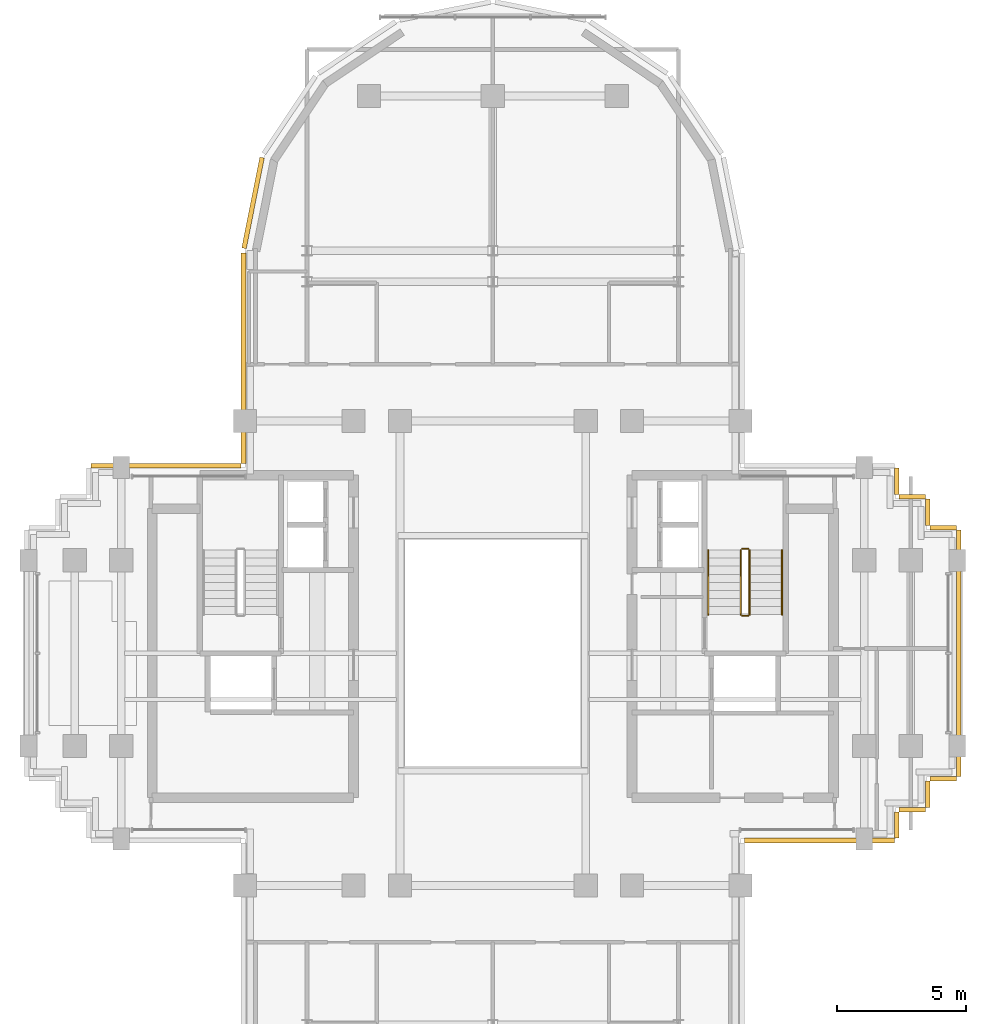
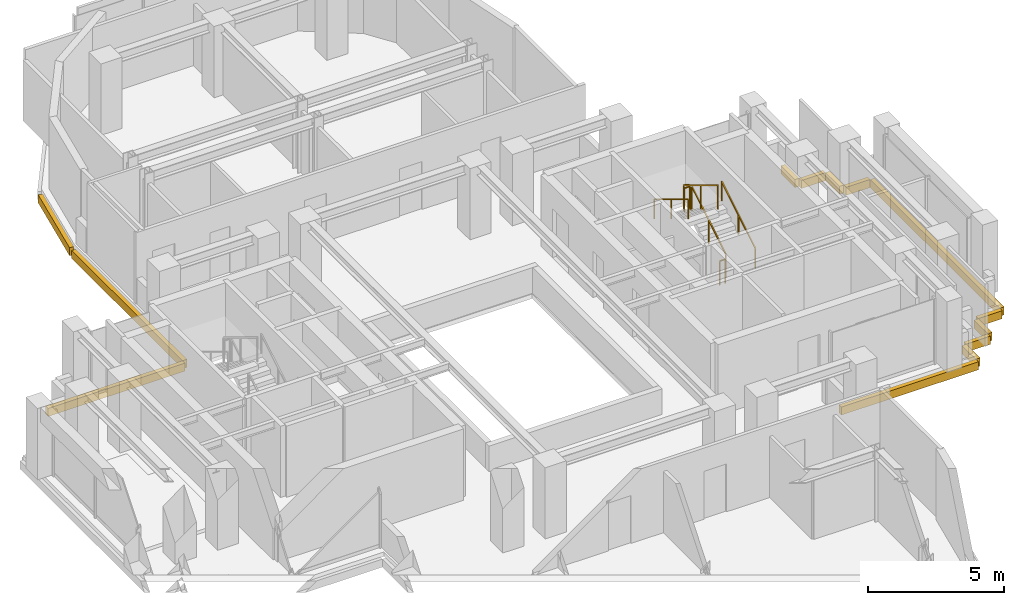
# One storey, part 10 of 11: 13 coverings, 6 railings.
"""IFC4 building model written with IfcOpenShell, lengths in metres."""

from ifc_helpers import new_model, si_unit, direction, frame, origin, origin_2d, place, context, subcontext, project, spatial, rectangle, extrude, source, transform, mapped, material, layer, layer_set, type_object, element, save


model = new_model("IFC4")

# Units and contexts
model_context = context("Model", 3, precision=1e-05, world=origin(), true_north=direction((0.0, 1.0)))
body_context = subcontext(model_context, "Body", "Model", "MODEL_VIEW")
ifc_project = project(units=[si_unit("LENGTHUNIT", "METRE"), si_unit("AREAUNIT", "SQUARE_METRE"), si_unit("VOLUMEUNIT", "CUBIC_METRE"), si_unit("PLANEANGLEUNIT", "RADIAN"), si_unit("MASSUNIT", "GRAM", prefix="KILO")], contexts=[model_context])

# Site, building, storey
site_placement = place(None, origin())
site = spatial("IfcSite", under=ifc_project, at=site_placement, CompositionType="ELEMENT")
building_placement = place(site_placement, origin())
building = spatial("IfcBuilding", under=site, at=building_placement, Name="Keilestroom Media Tower", CompositionType="ELEMENT")
storey_placement = place(building_placement, frame((0.0, 0.0, 194.39990234375)))
storey = spatial("IfcBuildingStorey", under=building, at=storey_placement, Name="L53", CompositionType="ELEMENT", Elevation=194.39990234375)

# Railings
ifc_material_1 = material(Name="Brushed Stainless Steel 1.4301", Category="steel")
railing_type_1 = type_object("IfcRailingType", Name="Stair-Pitch-Handrail-920", PredefinedType="HANDRAIL", material=ifc_material_1)
railing_1_placement = place(storey_placement, frame((11.2099609375, 1.5, 0.18896484375)))
element("IfcRailing", 1, at=railing_1_placement, inside=storey, type_object=railing_type_1, Name="L53 ST-2 stair handrail 1", PredefinedType="HANDRAIL", context=body_context, shape_type="SweptSolid", body=[
    extrude(rectangle(XDim=0.048095703125, YDim=0.048095703125, at=origin_2d()), frame((0.0, 0.0, 0.8759765625), z_axis=(0.0, 0.855433747314, 0.517912255074), x_axis=(-1.0, 0.0, 0.0)), (0.0, 0.0, 1.0), 2.91796875),
    extrude(rectangle(XDim=0.0419921875, YDim=0.0419921875, at=origin_2d()), origin(), (0.0, 0.0, 1.0), 0.84375),
    extrude(rectangle(XDim=0.0419921875, YDim=0.0419921875, at=origin_2d()), frame((0.0, 1.248046875, 0.755615234375)), (0.0, 0.0, 1.0), 0.84375),
    extrude(rectangle(XDim=0.0419921875, YDim=0.0419921875, at=origin_2d()), frame((0.0, 2.49609375, 1.51123046875)), (0.0, 0.0, 1.0), 0.84375),
])
railing_2_placement = place(storey_placement, frame((8.35009765625, 3.99609375, 1.888916015625)))
element("IfcRailing", 2, at=railing_2_placement, inside=storey, type_object=railing_type_1, Name="L53 ST-2 stair handrail 2", PredefinedType="HANDRAIL", context=body_context, shape_type="SweptSolid", body=[
    extrude(rectangle(XDim=0.048095703125, YDim=0.048095703125, at=origin_2d()), frame((0.0, 0.0, 0.8759765625), z_axis=(0.0, -0.855433747314, 0.517912255074), x_axis=(1.0, 0.0, 0.0)), (0.0, 0.0, 1.0), 2.91796875),
    extrude(rectangle(XDim=0.0419921875, YDim=0.0419921875, at=origin_2d()), origin(), (0.0, 0.0, 1.0), 0.84375),
    extrude(rectangle(XDim=0.0419921875, YDim=0.0419921875, at=origin_2d()), frame((0.0, -1.248046875, 0.755615234375)), (0.0, 0.0, 1.0), 0.84375),
    extrude(rectangle(XDim=0.0419921875, YDim=0.0419921875, at=origin_2d()), frame((0.0, -2.49609375, 1.51123046875)), (0.0, 0.0, 1.0), 0.84375),
])
ifc_material_2 = material(Name="Painted Steel Balustrade", Category="steel")
railing_type_2 = type_object("IfcRailingType", Name="Stair-Well-And-Landing-Guard-1100", PredefinedType="GUARDRAIL", material=ifc_material_2)
railing_3_placement = place(storey_placement, frame((9.949951171875, 1.5, 0.18896484375)))
element("IfcRailing", 3, at=railing_3_placement, inside=storey, type_object=railing_type_2, Name="L53 ST-2 stair guard 1", PredefinedType="GUARDRAIL", context=body_context, shape_type="SweptSolid", body=[
    extrude(rectangle(XDim=0.048095703125, YDim=0.048095703125, at=origin_2d()), frame((0.0, 0.0, 1.076171875), z_axis=(0.0, 0.855433747314, 0.517912255074), x_axis=(-1.0, 0.0, 0.0)), (0.0, 0.0, 1.0), 2.91796875),
    extrude(rectangle(XDim=0.0419921875, YDim=0.0419921875, at=origin_2d()), origin(), (0.0, 0.0, 1.0), 1.0439453125),
    extrude(rectangle(XDim=0.0419921875, YDim=0.0419921875, at=origin_2d()), frame((0.0, 1.248046875, 0.755615234375)), (0.0, 0.0, 1.0), 1.0439453125),
    extrude(rectangle(XDim=0.0419921875, YDim=0.0419921875, at=origin_2d()), frame((0.0, 2.49609375, 1.51123046875)), (0.0, 0.0, 1.0), 1.0439453125),
])
railing_4_placement = place(storey_placement, frame((9.89990234375, 4.0458984375, 1.7001953125)))
element("IfcRailing", 4, at=railing_4_placement, inside=storey, type_object=railing_type_2, Name="L53 ST-2 stair guard 2", PredefinedType="GUARDRAIL", context=body_context, shape_type="SweptSolid", body=[
    extrude(rectangle(XDim=0.048095703125, YDim=0.048095703125, at=origin_2d()), frame((0.0, 0.0, 1.076171875), z_axis=(-1.0, 0.0, 0.0), x_axis=(0.0, -1.0, 0.0)), (0.0, 0.0, 1.0), 0.239990234375),
    extrude(rectangle(XDim=0.0419921875, YDim=0.0419921875, at=origin_2d()), origin(), (0.0, 0.0, 1.0), 1.0439453125),
    extrude(rectangle(XDim=0.0419921875, YDim=0.0419921875, at=origin_2d()), frame((-0.239990234375, 0.0, 0.0)), (0.0, 0.0, 1.0), 1.0439453125),
])
railing_5_placement = place(storey_placement, frame((9.610107421875, 3.99609375, 1.888916015625)))
element("IfcRailing", 5, at=railing_5_placement, inside=storey, type_object=railing_type_2, Name="L53 ST-2 stair guard 3", PredefinedType="GUARDRAIL", context=body_context, shape_type="SweptSolid", body=[
    extrude(rectangle(XDim=0.048095703125, YDim=0.048095703125, at=origin_2d()), frame((0.0, 0.0, 1.076171875), z_axis=(0.0, -0.855433747314, 0.517912255074), x_axis=(1.0, 0.0, 0.0)), (0.0, 0.0, 1.0), 2.91796875),
    extrude(rectangle(XDim=0.0419921875, YDim=0.0419921875, at=origin_2d()), origin(), (0.0, 0.0, 1.0), 1.0439453125),
    extrude(rectangle(XDim=0.0419921875, YDim=0.0419921875, at=origin_2d()), frame((0.0, -1.248046875, 0.755615234375)), (0.0, 0.0, 1.0), 1.0439453125),
    extrude(rectangle(XDim=0.0419921875, YDim=0.0419921875, at=origin_2d()), frame((0.0, -2.49609375, 1.51123046875)), (0.0, 0.0, 1.0), 1.0439453125),
])
railing_6_placement = place(storey_placement, frame((9.89990234375, 1.449951171875, 0.0)))
element("IfcRailing", 6, at=railing_6_placement, inside=storey, type_object=railing_type_2, Name="L53 ST-2 stair guard 4", PredefinedType="GUARDRAIL", context=body_context, shape_type="SweptSolid", body=[
    extrude(rectangle(XDim=0.048095703125, YDim=0.048095703125, at=origin_2d()), frame((0.0, 0.0, 1.076171875), z_axis=(-1.0, 0.0, 0.0), x_axis=(0.0, -1.0, 0.0)), (0.0, 0.0, 1.0), 0.239990234375),
    extrude(rectangle(XDim=0.0419921875, YDim=0.0419921875, at=origin_2d()), origin(), (0.0, 0.0, 1.0), 1.0439453125),
    extrude(rectangle(XDim=0.0419921875, YDim=0.0419921875, at=origin_2d()), frame((-0.239990234375, 0.0, 0.0)), (0.0, 0.0, 1.0), 1.0439453125),
])

# Coverings
ifc_material_3 = material(Name="Precast concrete C40/50", Category="concrete")
ifc_layer = layer(ifc_material_3, 0.1201171875)
ifc_layer_set = layer_set([ifc_layer], Name="Precast concrete C40/50")
covering_type = type_object("IfcCoveringType", Name="Exterior-Precast-Spandrel-Cladding-Panel-120", PredefinedType="CLADDING", material=ifc_layer_set)
shared_shape_1 = source(origin(), body_context, "Body", "SweptSolid", [
    extrude(rectangle(XDim=1.02001953125, YDim=0.179931640625, at=origin_2d()), origin(), (0.0, 0.0, 1.0), 0.360107421875),
])
for number, where, z_axis, x_axis, name in (
    (7, (17.4599609375, -4.860107421875, -0.5400390625), (0.0, 0.0, 1.0), (-1.0, 0.0, 0.0), "L53 Precast Slab-Edge Fascia Cornice 01"),
    (8, (16.860107421875, -5.4599609375, -0.5400390625), (0.0, 0.0, 1.0), (0.0, -1.0, 0.0), "L53 Precast Slab-Edge Fascia Cornice 02"),
    (9, (16.260009765625, -6.06005859375, -0.5400390625), (0.0, 0.0, 1.0), (-1.0, 0.0, 0.0), "L53 Precast Slab-Edge Fascia Cornice 03"),
    (10, (15.659912109375, -6.659912109375, -0.5400390625), (0.0, 0.0, 1.0), (0.0, -1.0, 0.0), "L53 Precast Slab-Edge Fascia Cornice 04"),
    (11, (15.659912109375, 6.659912109375, -0.5400390625), (0.0, 0.0, 1.0), (0.0, -1.0, 0.0), "L53 Precast Slab-Edge Fascia Cornice 38"),
    (12, (16.260009765625, 6.06005859375, -0.5400390625), (0.0, 0.0, 1.0), (1.0, 0.0, 0.0), "L53 Precast Slab-Edge Fascia Cornice 39"),
    (13, (16.860107421875, 5.4599609375, -0.5400390625), (0.0, 0.0, 1.0), (0.0, -1.0, 0.0), "L53 Precast Slab-Edge Fascia Cornice 40"),
    (14, (17.4599609375, 4.860107421875, -0.5400390625), (0.0, 0.0, 1.0), (1.0, 0.0, 0.0), "L53 Precast Slab-Edge Fascia Cornice 41"),
):
    element("IfcCovering", number, at=place(storey_placement, frame(where, z_axis=z_axis, x_axis=x_axis)), inside=storey, type_object=covering_type, Name=name, PredefinedType="CLADDING", context=body_context, shape_type="MappedRepresentation", body=[
        mapped(shared_shape_1, transform((0.0, 0.0, 0.0), x_axis=(1.0, 0.0, 0.0), y_axis=(0.0, 1.0, 0.0), z_axis=(0.0, 0.0, 1.0), scale=1.0)),
    ])
shared_shape_2 = source(origin(), body_context, "Body", "SweptSolid", [
    extrude(rectangle(XDim=8.166015625, YDim=0.179931640625, at=origin_2d()), origin(), (0.0, 0.0, 1.0), 0.360107421875),
])
covering_1_placement = place(storey_placement, frame((-9.659912109375, 11.43310546875, -0.5400390625), z_axis=(0.0, 0.0, 1.0), x_axis=(0.0, 1.0, 0.0)))
element("IfcCovering", 15, at=covering_1_placement, inside=storey, type_object=covering_type, Name="L53 Precast Slab-Edge Fascia Cornice 27", PredefinedType="CLADDING", context=body_context, shape_type="MappedRepresentation", body=[
    mapped(shared_shape_2, transform((0.0, 0.0, 0.0), x_axis=(1.0, 0.0, 0.0), y_axis=(0.0, 1.0, 0.0), z_axis=(0.0, 0.0, 1.0), scale=1.0)),
])
shared_shape_3 = source(origin(), body_context, "Body", "SweptSolid", [
    extrude(rectangle(XDim=3.58349609375, YDim=0.179931640625, at=origin_2d()), origin(), (0.0, 0.0, 1.0), 0.360107421875),
])
covering_2_placement = place(storey_placement, frame((-9.29296875, 17.45166015625, -0.5400390625), z_axis=(0.0, 0.0, 1.0), x_axis=(0.195098880975, 0.980783577882, 0.0)))
element("IfcCovering", 16, at=covering_2_placement, inside=storey, type_object=covering_type, Name="L53 Precast Slab-Edge Fascia Cornice 28", PredefinedType="CLADDING", context=body_context, shape_type="MappedRepresentation", body=[
    mapped(shared_shape_3, transform((0.0, 0.0, 0.0), x_axis=(1.0, 0.0, 0.0), y_axis=(0.0, 1.0, 0.0), z_axis=(0.0, 0.0, 1.0), scale=1.0)),
])
shared_shape_4 = source(origin(), body_context, "Body", "SweptSolid", [
    extrude(rectangle(XDim=9.5400390625, YDim=0.179931640625, at=origin_2d()), origin(), (0.0, 0.0, 1.0), 0.360107421875),
])
covering_3_placement = place(storey_placement, frame((18.06005859375, 0.0, -0.5400390625), z_axis=(0.0, 0.0, 1.0), x_axis=(0.0, -1.0, 0.0)))
element("IfcCovering", 17, at=covering_3_placement, inside=storey, type_object=covering_type, Name="L53 Precast Slab-Edge Fascia Cornice 42", PredefinedType="CLADDING", context=body_context, shape_type="MappedRepresentation", body=[
    mapped(shared_shape_4, transform((0.0, 0.0, 0.0), x_axis=(1.0, 0.0, 0.0), y_axis=(0.0, 1.0, 0.0), z_axis=(0.0, 0.0, 1.0), scale=1.0)),
])
shared_shape_5 = source(origin(), body_context, "Body", "SweptSolid", [
    extrude(rectangle(XDim=5.820068359375, YDim=0.179931640625, at=origin_2d()), origin(), (0.0, 0.0, 1.0), 0.360107421875),
])
for number, where, z_axis, x_axis, name in (
    (18, (12.659912109375, -7.260009765625, -0.5400390625), (0.0, 0.0, 1.0), (-1.0, 0.0, 0.0), "L53 Precast Slab-Edge Fascia Cornice 05"),
    (19, (-12.659912109375, 7.260009765625, -0.5400390625), (0.0, 0.0, 1.0), (1.0, 0.0, 0.0), "L53 Precast Slab-Edge Fascia Cornice 26"),
):
    element("IfcCovering", number, at=place(storey_placement, frame(where, z_axis=z_axis, x_axis=x_axis)), inside=storey, type_object=covering_type, Name=name, PredefinedType="CLADDING", context=body_context, shape_type="MappedRepresentation", body=[
        mapped(shared_shape_5, transform((0.0, 0.0, 0.0), x_axis=(1.0, 0.0, 0.0), y_axis=(0.0, 1.0, 0.0), z_axis=(0.0, 0.0, 1.0), scale=1.0)),
    ])

save(model, "model.ifc")
